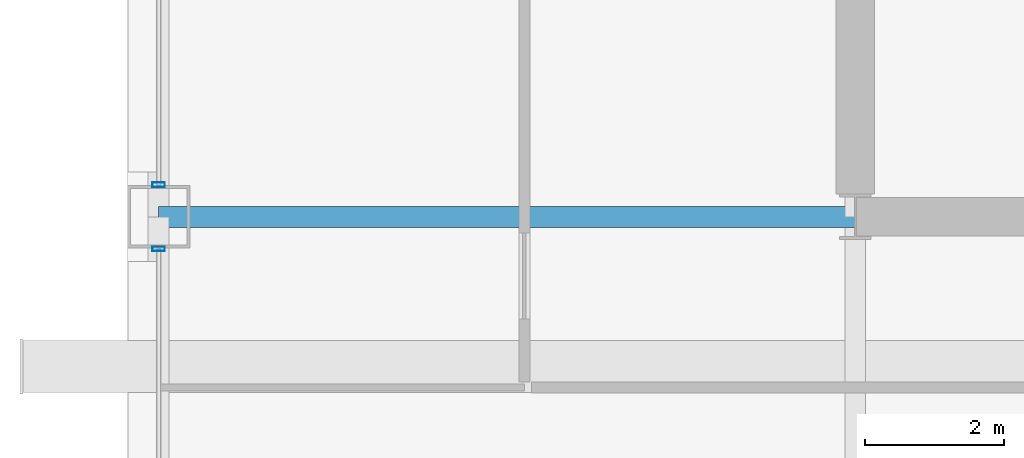
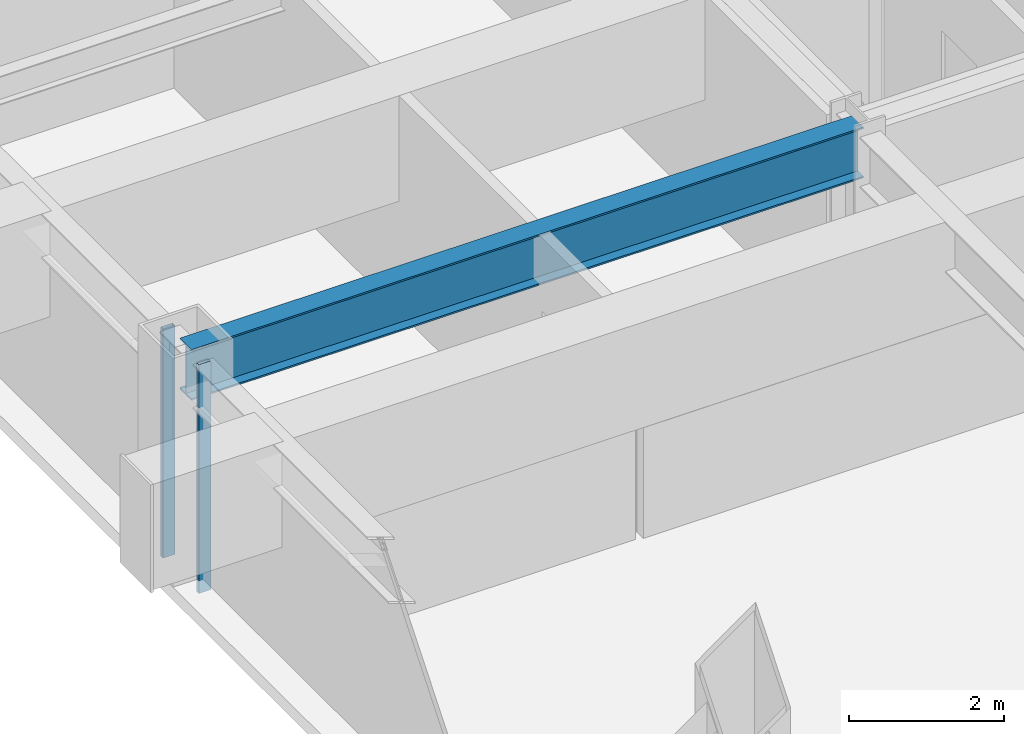
# One storey, part 4 of 29: 2 members, 1 beam, 2 elements without a shape of their own.
"""IFC4 building model written with IfcOpenShell, lengths in metres."""

import ifcopenshell
import ifcopenshell.guid

model = None  # the IFC model being written
_history = None  # IfcOwnerHistory: only IFC2X3 demands one
_inside = {}  # id of a spatial element -> (the spatial element, [elements in it])
_under = {}  # id of a project, library or spatial element -> (it, [spatial elements below it])
_declared = {}  # id of a project -> (the project, [libraries it declares])
_typed = {}  # id of a type object -> (the type object, [elements of that type])
_made_of = {}  # id of a material, layer set ... -> (it, [elements and type objects made of it])


def new_model(schema):
    """Start an empty IFC model of exactly this schema.

    Asked for "IFC4X3", IfcOpenShell would pick the latest addendum, in which some entities
    have other attributes; the version numbers below select the first issue.
    IFC2X3 requires an IfcOwnerHistory on every rooted entity: one is made here for all.
    """
    global model, _history
    if schema == "IFC4X3":
        model = ifcopenshell.file(schema_version=(4, 3, 0, 0))
    else:
        model = ifcopenshell.file(schema=schema)
    _inside.clear()
    _under.clear()
    _declared.clear()
    _typed.clear()
    _made_of.clear()
    _history = None
    if model.schema == "IFC2X3":
        org = make("IfcOrganization", Name="unknown")
        user = make(
            "IfcPersonAndOrganization",
            ThePerson=make("IfcPerson", FamilyName="unknown"),
            TheOrganization=org,
        )
        app = make(
            "IfcApplication",
            ApplicationDeveloper=org,
            Version="unknown",
            ApplicationFullName="unknown",
            ApplicationIdentifier="unknown",
        )
        _history = make(
            "IfcOwnerHistory",
            OwningUser=user,
            OwningApplication=app,
            ChangeAction="ADDED",
            CreationDate=0,
        )
    return model


def make(cls, **values):
    """One entity of the class cls with the attributes given. An attribute that is None is left unset."""
    return model.create_entity(
        cls, **{name: value for name, value in values.items() if value is not None}
    )


def rooted(cls, **values):
    """An entity with a GlobalId (a new one), such as an element, a storey or a relation."""
    return make(cls, GlobalId=ifcopenshell.guid.new(), OwnerHistory=_history, **values)


def si_unit(unit_type, name, prefix=None):
    """IfcSIUnit, for example si_unit("LENGTHUNIT", "METRE", prefix="MILLI")."""
    return make("IfcSIUnit", UnitType=unit_type, Prefix=prefix, Name=name)


def assignment(units):
    """IfcUnitAssignment: the units of a project."""
    return None if units is None else make("IfcUnitAssignment", Units=units)


def point(xyz):
    """IfcCartesianPoint."""
    return None if xyz is None else make("IfcCartesianPoint", Coordinates=xyz)


def direction(xyz):
    """IfcDirection."""
    return None if xyz is None else make("IfcDirection", DirectionRatios=xyz)


def frame(location, z_axis=None, x_axis=None):
    """IfcAxis2Placement3D, a coordinate frame: its origin and axes. An axis left out is left unset."""
    return make(
        "IfcAxis2Placement3D",
        Location=point(location),
        Axis=direction(z_axis),
        RefDirection=direction(x_axis),
    )


def frame_2d(location, x_axis=None):
    """IfcAxis2Placement2D, a coordinate frame in the plane: its origin and x axis."""
    return make(
        "IfcAxis2Placement2D", Location=point(location), RefDirection=direction(x_axis)
    )


def origin():
    """The frame at (0, 0, 0) with its axes left unset."""
    return frame((0.0, 0.0, 0.0))


def origin_2d():
    """The frame at (0, 0) in the plane with its x axis left unset."""
    return frame_2d((0.0, 0.0))


def place(relative_to, where):
    """IfcLocalPlacement: puts the frame where relative to a parent placement (None: the world)."""
    return make(
        "IfcLocalPlacement", PlacementRelTo=relative_to, RelativePlacement=where
    )


def context(
    kind, dimensions, precision=None, world=None, true_north=None, identifier=None
):
    """IfcGeometricRepresentationContext, for example the 3D "Model" context."""
    return make(
        "IfcGeometricRepresentationContext",
        ContextIdentifier=identifier,
        ContextType=kind,
        CoordinateSpaceDimension=dimensions,
        Precision=precision,
        WorldCoordinateSystem=world,
        TrueNorth=true_north,
    )


def subcontext(parent, identifier, kind, view, scale=None):
    """IfcGeometricRepresentationSubContext, for example "Body" below "Model"."""
    return make(
        "IfcGeometricRepresentationSubContext",
        ContextIdentifier=identifier,
        ContextType=kind,
        ParentContext=parent,
        TargetScale=scale,
        TargetView=view,
    )


def project(units=None, contexts=None):
    """IfcProject with its units and contexts."""
    return rooted(
        "IfcProject",
        Name="project",
        RepresentationContexts=contexts,
        UnitsInContext=assignment(units),
    )


def spatial(cls, under=None, at=None, **own):
    """A site, building, storey or space (cls), placed at a placement, below another one or the project."""
    s = rooted(cls, ObjectPlacement=at, **own)
    if under is not None:
        _under.setdefault(under.id(), (under, []))[1].append(s)
    return s


def profile(cls, at=None, kind="AREA", **sizes):
    """A parametric profile (cls). Its sizes go by their IFC names, for example OverallWidth=200.0."""
    return make(cls, ProfileType=kind, Position=at, **sizes)


def hollow_rectangle(**sizes):
    """IfcRectangleHollowProfileDef."""
    return profile("IfcRectangleHollowProfileDef", **sizes)


def i_section(**sizes):
    """IfcIShapeProfileDef."""
    return profile("IfcIShapeProfileDef", **sizes)


def extrude(swept, where, along, depth):
    """IfcExtrudedAreaSolid: the profile swept, set in the frame where, extruded along a direction by depth."""
    return make(
        "IfcExtrudedAreaSolid",
        SweptArea=swept,
        Position=where,
        ExtrudedDirection=direction(along),
        Depth=depth,
    )


def shape(context_of_items, identifier, shape_type, items):
    """IfcShapeRepresentation: the items that make up one representation, for example the "Body"."""
    return make(
        "IfcShapeRepresentation",
        ContextOfItems=context_of_items,
        RepresentationIdentifier=identifier,
        RepresentationType=shape_type,
        Items=items,
    )


def material(Name=None, Category=None):
    """IfcMaterial."""
    return make("IfcMaterial", Name=Name, Category=Category)


def layer(
    of_material, thickness, ventilated=None, Name=None, Category=None, Priority=None
):
    """IfcMaterialLayer: one layer of a wall or slab, of a material (None: an air gap)."""
    return make(
        "IfcMaterialLayer",
        Material=of_material,
        LayerThickness=thickness,
        IsVentilated=ventilated,
        Name=Name,
        Category=Category,
        Priority=Priority,
    )


def layer_set(layers, Name=None):
    """IfcMaterialLayerSet."""
    return make("IfcMaterialLayerSet", MaterialLayers=layers, LayerSetName=Name)


def material_profile(
    of_material, cross_section, Name=None, Category=None, Priority=None
):
    """IfcMaterialProfile: a cross section and its material."""
    return make(
        "IfcMaterialProfile",
        Name=Name,
        Material=of_material,
        Profile=cross_section,
        Priority=Priority,
        Category=Category,
    )


def profile_set(profiles, Name=None, composite=None):
    """IfcMaterialProfileSet."""
    return make(
        "IfcMaterialProfileSet",
        Name=Name,
        MaterialProfiles=profiles,
        CompositeProfile=composite,
    )


def made_of(thing, what):
    """Note that an element or type object is made of a material, layer set ...; save() writes the relation."""
    if what is not None:
        _made_of.setdefault(what.id(), (what, []))[1].append(thing)
    return thing


def type_object(cls, material=None, **own):
    """A type object (cls), such as IfcWallType, which elements share."""
    return made_of(rooted(cls, **own), material)


def element(
    cls,
    number,
    at=None,
    inside=None,
    cuts=None,
    type_object=None,
    material=None,
    context=None,
    identifier="Body",
    shape_type=None,
    held_by="IfcProductDefinitionShape",
    body=None,
    shapes=None,
    **own,
):
    """One element of the class cls, such as IfcWall. Its Tag is "e" and its number.

    at: its placement. inside: the storey or other place that contains it. cuts: it is an
    opening in that element (IfcRelVoidsElement). A single representation is given by context,
    identifier, shape_type and body (its items); several are given by shapes. held_by: the class
    of the entity that holds the representations. save() writes the other relations.
    """
    e = rooted(cls, Tag="e%d" % number, ObjectPlacement=at, **own)
    if body is not None:
        shapes = [shape(context, identifier, shape_type, body)]
    if shapes is not None:
        e.Representation = make(held_by, Representations=shapes)
    if inside is not None:
        _inside.setdefault(inside.id(), (inside, []))[1].append(e)
    if cuts is not None:
        rooted(
            "IfcRelVoidsElement", RelatingBuildingElement=cuts, RelatedOpeningElement=e
        )
    if type_object is not None:
        _typed.setdefault(type_object.id(), (type_object, []))[1].append(e)
    return made_of(e, material)


def aggregate(whole, parts):
    """IfcRelAggregates: a whole, such as a stair, and the parts it consists of."""
    return rooted("IfcRelAggregates", RelatingObject=whole, RelatedObjects=parts)


def save(model, path):
    """Write the relations noted so far, then the file.

    IfcRelAggregates (storeys below a building ...), IfcRelContainedInSpatialStructure (elements
    in a storey), IfcRelDefinesByType, IfcRelAssociatesMaterial and IfcRelDeclares: one each for
    every whole, place, type object, material and project.
    """
    for whole, parts in _under.values():
        aggregate(whole, parts)
    for where, things in _inside.values():
        rooted(
            "IfcRelContainedInSpatialStructure",
            RelatedElements=things,
            RelatingStructure=where,
        )
    for kind, things in _typed.values():
        rooted("IfcRelDefinesByType", RelatedObjects=things, RelatingType=kind)
    for what, things in _made_of.values():
        rooted("IfcRelAssociatesMaterial", RelatedObjects=things, RelatingMaterial=what)
    for by, libraries in _declared.values():
        rooted("IfcRelDeclares", RelatingContext=by, RelatedDefinitions=libraries)
    model.write(path)


model = new_model("IFC4")

# Units and contexts
model_context = context("Model", 3, precision=1e-05, world=origin(), true_north=direction((0.0, 1.0)))
body_context = subcontext(model_context, "Body", "Model", "MODEL_VIEW")
ifc_project = project(units=[si_unit("LENGTHUNIT", "METRE"), si_unit("AREAUNIT", "SQUARE_METRE"), si_unit("VOLUMEUNIT", "CUBIC_METRE"), si_unit("PLANEANGLEUNIT", "RADIAN"), si_unit("MASSUNIT", "GRAM", prefix="KILO")], contexts=[model_context])

# Site, building, storey
site_placement = place(None, origin())
site = spatial("IfcSite", under=ifc_project, at=site_placement, CompositionType="ELEMENT")
building_placement = place(site_placement, origin())
building = spatial("IfcBuilding", under=site, at=building_placement, Name="Brelmoor Portico Tower", CompositionType="ELEMENT")
storey_placement = place(building_placement, frame((0.0, 0.0, 52.800048828125)))
storey = spatial("IfcBuildingStorey", under=building, at=storey_placement, Name="L13", CompositionType="ELEMENT", Elevation=52.800048828125)

# Beam
ifc_material_1 = material(Name="Steel Q355B", Category="steel")
ifc_material_profile_1 = material_profile(ifc_material_1, i_section(OverallWidth=0.300048828125, OverallDepth=0.800048828125, WebThickness=0.013916015625, FlangeThickness=0.02587890625, at=origin_2d()), Name="HN 800x300x14x26")
ifc_profile_set_1 = profile_set([ifc_material_profile_1], Name="Steel Q355B")
beam_type = type_object("IfcBeamType", Name="BM-PG-800", PredefinedType="BEAM", material=ifc_profile_set_1)
beam_placement = place(storey_placement, frame((-24.550048828125, -9.75, 3.0), z_axis=(1.0, 0.0, 0.0), x_axis=(0.0, 1.0, 0.0)))
element("IfcBeam", 1, at=beam_placement, inside=storey, type_object=beam_type, Name="L13 Primary Floor Girder PG-19", PredefinedType="BEAM", context=body_context, shape_type="SweptSolid", body=[
    extrude(i_section(OverallWidth=0.300048828125, OverallDepth=0.800048828125, WebThickness=0.013916015625, FlangeThickness=0.02587890625, at=origin_2d()), origin(), (0.0, 0.0, 1.0), 10.0),
])

# Curtain wall, member
ifc_material_2 = material(Name="Anodised Aluminium Alloy 6063-T6", Category="aluminium")
ifc_layer = layer(ifc_material_2, 0.179931640625)
ifc_layer_set = layer_set([ifc_layer], Name="Anodised Aluminium Alloy 6063-T6")
curtain_wall_type = type_object("IfcCurtainWallType", Name="CW-TOWER-Z1-XB", PredefinedType="NOTDEFINED", material=ifc_layer_set)
curtain_wall_1_placement = place(storey_placement, origin())
curtain_wall_1 = element("IfcCurtainWall", 2, at=curtain_wall_1_placement, inside=storey, type_object=curtain_wall_type, Name="L13 Curtain Wall CW-L13-03-1", PredefinedType="NOTDEFINED")
ifc_material_profile_2 = material_profile(ifc_material_2, hollow_rectangle(XDim=0.06494140625, YDim=0.179931640625, WallThickness=0.00390625, at=origin_2d()), Name="ALU MULLION 65x180")
ifc_profile_set_2 = profile_set([ifc_material_profile_2], Name="Anodised Aluminium Alloy 6063-T6")
member_type = type_object("IfcMemberType", Name="MB-CW-MULL-180", PredefinedType="MULLION", material=ifc_profile_set_2)
member_1_placement = place(storey_placement, frame((-24.550048828125, -10.2099609375, -0.199951171875), z_axis=(0.0, 0.0, 1.0), x_axis=(0.0, 1.0, 0.0)))
member_1 = element("IfcMember", 3, at=member_1_placement, type_object=member_type, Name="CW-L13-03-1 Mullion 01", PredefinedType="MULLION", context=body_context, shape_type="SweptSolid", body=[
    extrude(hollow_rectangle(XDim=0.06494140625, YDim=0.179931640625, WallThickness=0.00390625, at=origin_2d()), origin(), (0.0, 0.0, 1.0), 3.599853515625),
])
aggregate(curtain_wall_1, [member_1])

curtain_wall_2_placement = place(storey_placement, origin())
curtain_wall_2 = element("IfcCurtainWall", 4, at=curtain_wall_2_placement, inside=storey, type_object=curtain_wall_type, Name="L13 Curtain Wall CW-L13-03-2", PredefinedType="NOTDEFINED")
member_2_placement = place(storey_placement, frame((-24.550048828125, -9.2900390625, -0.199951171875), z_axis=(0.0, 0.0, 1.0), x_axis=(0.0, 1.0, 0.0)))
member_2 = element("IfcMember", 5, at=member_2_placement, type_object=member_type, Name="CW-L13-03-2 Mullion 00", PredefinedType="MULLION", context=body_context, shape_type="SweptSolid", body=[
    extrude(hollow_rectangle(XDim=0.06494140625, YDim=0.179931640625, WallThickness=0.00390625, at=origin_2d()), origin(), (0.0, 0.0, 1.0), 3.599853515625),
])
aggregate(curtain_wall_2, [member_2])

save(model, "model.ifc")
